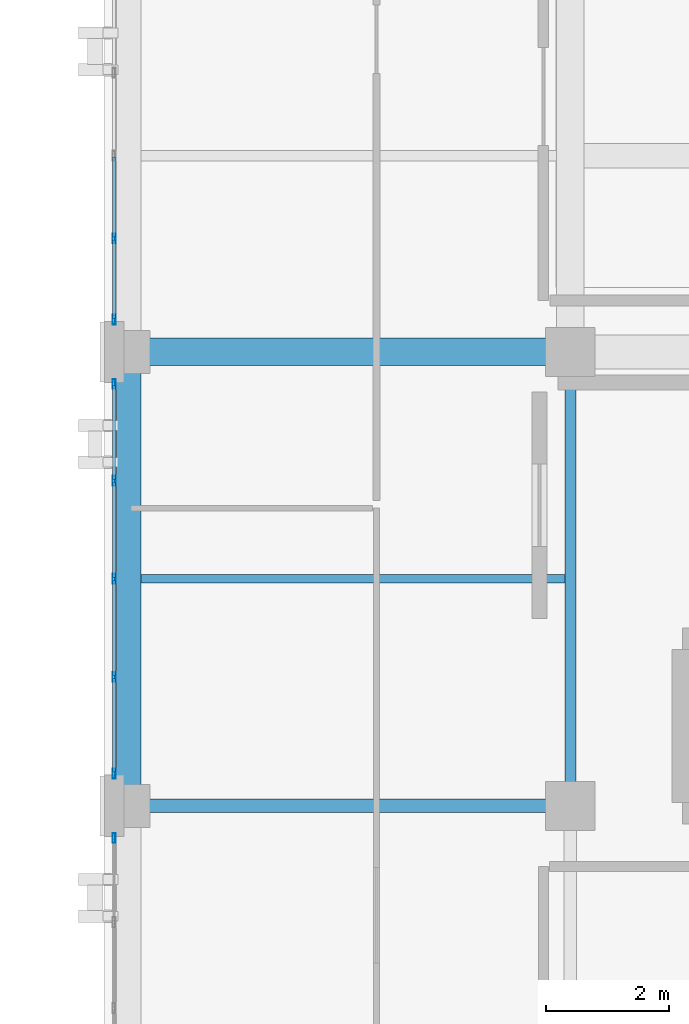
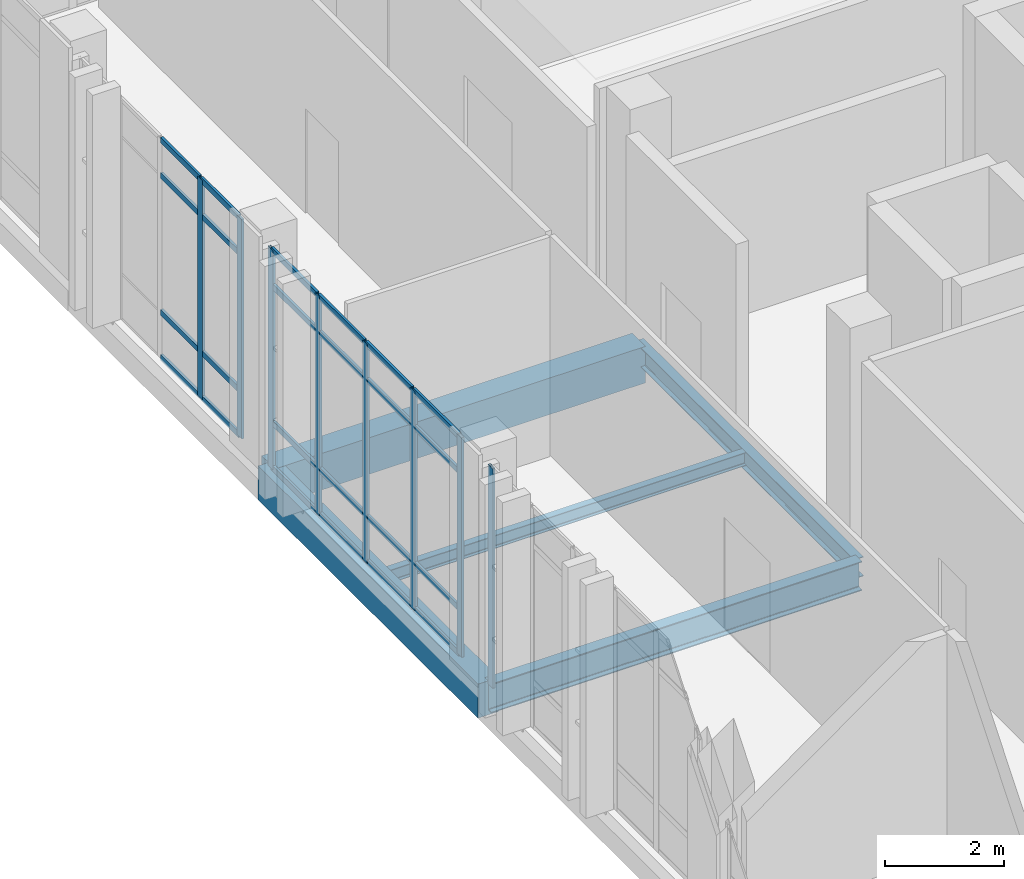
# One storey, part 99 of 189: 32 members, 5 beams, 3 elements without a shape of their own.
"""IFC4 building model written with IfcOpenShell, lengths in metres."""

from ifc_helpers import new_model, si_unit, direction, frame, origin, origin_2d, place, context, subcontext, project, spatial, rectangle, hollow_rectangle, i_section, extrude, material, layer, layer_set, material_profile, profile_set, type_object, element, aggregate, save


model = new_model("IFC4")

# Units and contexts
model_context = context("Model", 3, precision=1e-05, world=origin(), true_north=direction((0.0, 1.0)))
body_context = subcontext(model_context, "Body", "Model", "MODEL_VIEW")
ifc_project = project(units=[si_unit("LENGTHUNIT", "METRE"), si_unit("AREAUNIT", "SQUARE_METRE"), si_unit("VOLUMEUNIT", "CUBIC_METRE"), si_unit("PLANEANGLEUNIT", "RADIAN"), si_unit("MASSUNIT", "GRAM", prefix="KILO")], contexts=[model_context])

# Site, building, storey
site_placement = place(None, origin())
site = spatial("IfcSite", under=ifc_project, at=site_placement, CompositionType="ELEMENT")
building_placement = place(site_placement, origin())
building = spatial("IfcBuilding", under=site, at=building_placement, Name="Qalavern Law Courts", CompositionType="ELEMENT")
storey_placement = place(building_placement, frame((0.0, 0.0, 5.39990234375)))
storey = spatial("IfcBuildingStorey", under=building, at=storey_placement, Name="L01", CompositionType="ELEMENT", Elevation=5.39990234375)

# Curtain wall, members
ifc_material_1 = material(Name="Anodised aluminium and insulated glazing", Category="aluminium")
ifc_layer = layer(ifc_material_1, 0.172119140625)
ifc_layer_set = layer_set([ifc_layer], Name="Anodised aluminium and insulated glazing")
curtain_wall_type = type_object("IfcCurtainWallType", Name="ENV-CW-COURT", PredefinedType="USERDEFINED", material=ifc_layer_set)
curtain_wall_1_placement = place(storey_placement, origin())
curtain_wall_1 = element("IfcCurtainWall", 1, at=curtain_wall_1_placement, inside=storey, type_object=curtain_wall_type, Name="V4 unitised curtain wall L01 west 2", ObjectType="UNITISED CURTAIN WALL", PredefinedType="USERDEFINED")
ifc_material_2 = material(Name="Anodised aluminium", Category="aluminium")
ifc_material_profile_1 = material_profile(ifc_material_2, hollow_rectangle(XDim=0.048095703125, YDim=0.159912109375, WallThickness=0.00390625, at=origin_2d()), Name="ALU MULLION 48x160")
ifc_profile_set_1 = profile_set([ifc_material_profile_1], Name="Anodised aluminium")
member_type_1 = type_object("IfcMemberType", Name="ENV-CWM-48x160", PredefinedType="MULLION", material=ifc_profile_set_1)
member_1_placement = place(storey_placement, frame((84.362548828125, 74.64990234375, 0.0), z_axis=(0.0, 0.0, 1.0), x_axis=(1.0, 0.0, 0.0)))
member_1 = element("IfcMember", 2, at=member_1_placement, type_object=member_type_1, Name="CW-03 mullion 4", PredefinedType="MULLION", context=body_context, shape_type="SweptSolid", body=[
    extrude(hollow_rectangle(XDim=0.048095703125, YDim=0.159912109375, WallThickness=0.00390625, at=origin_2d()), origin(), (0.0, 0.0, 1.0), 4.510009765625),
])
member_2_placement = place(storey_placement, frame((84.362548828125, 73.323974609375, 0.0), z_axis=(0.0, 0.0, 1.0), x_axis=(1.0, 0.0, 0.0)))
member_2 = element("IfcMember", 3, at=member_2_placement, type_object=member_type_1, Name="CW-03 mullion 5", PredefinedType="MULLION", context=body_context, shape_type="SweptSolid", body=[
    extrude(hollow_rectangle(XDim=0.048095703125, YDim=0.159912109375, WallThickness=0.00390625, at=origin_2d()), origin(), (0.0, 0.0, 1.0), 4.510009765625),
])

curtain_wall_2_placement = place(storey_placement, origin())
curtain_wall_2 = element("IfcCurtainWall", 4, at=curtain_wall_2_placement, inside=storey, type_object=curtain_wall_type, Name="V4 unitised curtain wall L01 west 3", ObjectType="UNITISED CURTAIN WALL", PredefinedType="USERDEFINED")
member_3_placement = place(storey_placement, frame((84.362548828125, 72.27587890625, 0.0), z_axis=(0.0, 0.0, 1.0), x_axis=(1.0, 0.0, 0.0)))
member_3 = element("IfcMember", 5, at=member_3_placement, type_object=member_type_1, Name="CW-03 mullion 1", PredefinedType="MULLION", context=body_context, shape_type="SweptSolid", body=[
    extrude(hollow_rectangle(XDim=0.048095703125, YDim=0.159912109375, WallThickness=0.00390625, at=origin_2d()), origin(), (0.0, 0.0, 1.0), 4.510009765625),
])
member_4_placement = place(storey_placement, frame((84.362548828125, 70.699951171875, 0.0), z_axis=(0.0, 0.0, 1.0), x_axis=(1.0, 0.0, 0.0)))
member_4 = element("IfcMember", 6, at=member_4_placement, type_object=member_type_1, Name="CW-03 mullion 2", PredefinedType="MULLION", context=body_context, shape_type="SweptSolid", body=[
    extrude(hollow_rectangle(XDim=0.048095703125, YDim=0.159912109375, WallThickness=0.00390625, at=origin_2d()), origin(), (0.0, 0.0, 1.0), 4.510009765625),
])
member_5_placement = place(storey_placement, frame((84.362548828125, 69.10009765625, 0.0), z_axis=(0.0, 0.0, 1.0), x_axis=(1.0, 0.0, 0.0)))
member_5 = element("IfcMember", 7, at=member_5_placement, type_object=member_type_1, Name="CW-03 mullion 3", PredefinedType="MULLION", context=body_context, shape_type="SweptSolid", body=[
    extrude(hollow_rectangle(XDim=0.048095703125, YDim=0.159912109375, WallThickness=0.00390625, at=origin_2d()), origin(), (0.0, 0.0, 1.0), 4.510009765625),
])
member_6_placement = place(storey_placement, frame((84.362548828125, 67.5, 0.0), z_axis=(0.0, 0.0, 1.0), x_axis=(1.0, 0.0, 0.0)))
member_6 = element("IfcMember", 8, at=member_6_placement, type_object=member_type_1, Name="CW-03 mullion 4", PredefinedType="MULLION", context=body_context, shape_type="SweptSolid", body=[
    extrude(hollow_rectangle(XDim=0.048095703125, YDim=0.159912109375, WallThickness=0.00390625, at=origin_2d()), origin(), (0.0, 0.0, 1.0), 4.510009765625),
])
member_7_placement = place(storey_placement, frame((84.362548828125, 65.924072265625, 0.0), z_axis=(0.0, 0.0, 1.0), x_axis=(1.0, 0.0, 0.0)))
member_7 = element("IfcMember", 9, at=member_7_placement, type_object=member_type_1, Name="CW-03 mullion 5", PredefinedType="MULLION", context=body_context, shape_type="SweptSolid", body=[
    extrude(hollow_rectangle(XDim=0.048095703125, YDim=0.159912109375, WallThickness=0.00390625, at=origin_2d()), origin(), (0.0, 0.0, 1.0), 4.510009765625),
])

# Curtain wall, member
curtain_wall_3_placement = place(storey_placement, origin())
curtain_wall_3 = element("IfcCurtainWall", 10, at=curtain_wall_3_placement, inside=storey, type_object=curtain_wall_type, Name="V4 unitised curtain wall L01 west 4", ObjectType="UNITISED CURTAIN WALL", PredefinedType="USERDEFINED")
member_8_placement = place(storey_placement, frame((84.362548828125, 64.8759765625, 0.0), z_axis=(0.0, 0.0, 1.0), x_axis=(1.0, 0.0, 0.0)))
member_8 = element("IfcMember", 11, at=member_8_placement, type_object=member_type_1, Name="CW-03 mullion 1", PredefinedType="MULLION", context=body_context, shape_type="SweptSolid", body=[
    extrude(hollow_rectangle(XDim=0.048095703125, YDim=0.159912109375, WallThickness=0.00390625, at=origin_2d()), origin(), (0.0, 0.0, 1.0), 4.510009765625),
])
aggregate(curtain_wall_3, [member_8])

# Member
ifc_material_profile_2 = material_profile(ifc_material_2, hollow_rectangle(XDim=0.048095703125, YDim=0.1201171875, WallThickness=0.00390625, at=origin_2d()), Name="ALU TRANSOM 48x120")
ifc_profile_set_2 = profile_set([ifc_material_profile_2], Name="Anodised aluminium")
member_type_2 = type_object("IfcMemberType", Name="ENV-CWT-48x120", PredefinedType="USERDEFINED", material=ifc_profile_set_2)
member_9_placement = place(storey_placement, frame((84.362548828125, 75.97607421875, 0.024169921875), z_axis=(0.0, -1.0, 0.0), x_axis=(1.0, 0.0, 0.0)))
member_9 = element("IfcMember", 12, at=member_9_placement, type_object=member_type_2, Name="CW-03 transom 3.1", ObjectType="TRANSOM", PredefinedType="USERDEFINED", context=body_context, shape_type="SweptSolid", body=[
    extrude(hollow_rectangle(XDim=0.048095703125, YDim=0.1201171875, WallThickness=0.00390625, at=origin_2d()), origin(), (0.0, 0.0, 1.0), 1.302001953125),
])

member_10_placement = place(storey_placement, frame((84.362548828125, 75.97607421875, 0.9501953125), z_axis=(0.0, -1.0, 0.0), x_axis=(1.0, 0.0, 0.0)))
member_10 = element("IfcMember", 13, at=member_10_placement, type_object=member_type_2, Name="CW-03 transom 3.2", ObjectType="TRANSOM", PredefinedType="USERDEFINED", context=body_context, shape_type="SweptSolid", body=[
    extrude(hollow_rectangle(XDim=0.048095703125, YDim=0.1201171875, WallThickness=0.00390625, at=origin_2d()), origin(), (0.0, 0.0, 1.0), 1.302001953125),
])

member_11_placement = place(storey_placement, frame((84.362548828125, 75.97607421875, 3.760009765625), z_axis=(0.0, -1.0, 0.0), x_axis=(1.0, 0.0, 0.0)))
member_11 = element("IfcMember", 14, at=member_11_placement, type_object=member_type_2, Name="CW-03 transom 3.3", ObjectType="TRANSOM", PredefinedType="USERDEFINED", context=body_context, shape_type="SweptSolid", body=[
    extrude(hollow_rectangle(XDim=0.048095703125, YDim=0.1201171875, WallThickness=0.00390625, at=origin_2d()), origin(), (0.0, 0.0, 1.0), 1.302001953125),
])

member_12_placement = place(storey_placement, frame((84.362548828125, 75.97607421875, 4.486083984375), z_axis=(0.0, -1.0, 0.0), x_axis=(1.0, 0.0, 0.0)))
member_12 = element("IfcMember", 15, at=member_12_placement, type_object=member_type_2, Name="CW-03 transom 3.4", ObjectType="TRANSOM", PredefinedType="USERDEFINED", context=body_context, shape_type="SweptSolid", body=[
    extrude(hollow_rectangle(XDim=0.048095703125, YDim=0.1201171875, WallThickness=0.00390625, at=origin_2d()), origin(), (0.0, 0.0, 1.0), 1.302001953125),
])

member_13_placement = place(storey_placement, frame((84.362548828125, 74.6259765625, 0.024169921875), z_axis=(0.0, -1.0, 0.0), x_axis=(1.0, 0.0, 0.0)))
member_13 = element("IfcMember", 16, at=member_13_placement, type_object=member_type_2, Name="CW-03 transom 4.1", ObjectType="TRANSOM", PredefinedType="USERDEFINED", context=body_context, shape_type="SweptSolid", body=[
    extrude(hollow_rectangle(XDim=0.048095703125, YDim=0.1201171875, WallThickness=0.00390625, at=origin_2d()), origin(), (0.0, 0.0, 1.0), 1.278076171875),
])

member_14_placement = place(storey_placement, frame((84.362548828125, 74.6259765625, 0.9501953125), z_axis=(0.0, -1.0, 0.0), x_axis=(1.0, 0.0, 0.0)))
member_14 = element("IfcMember", 17, at=member_14_placement, type_object=member_type_2, Name="CW-03 transom 4.2", ObjectType="TRANSOM", PredefinedType="USERDEFINED", context=body_context, shape_type="SweptSolid", body=[
    extrude(hollow_rectangle(XDim=0.048095703125, YDim=0.1201171875, WallThickness=0.00390625, at=origin_2d()), origin(), (0.0, 0.0, 1.0), 1.278076171875),
])

member_15_placement = place(storey_placement, frame((84.362548828125, 74.6259765625, 3.760009765625), z_axis=(0.0, -1.0, 0.0), x_axis=(1.0, 0.0, 0.0)))
member_15 = element("IfcMember", 18, at=member_15_placement, type_object=member_type_2, Name="CW-03 transom 4.3", ObjectType="TRANSOM", PredefinedType="USERDEFINED", context=body_context, shape_type="SweptSolid", body=[
    extrude(hollow_rectangle(XDim=0.048095703125, YDim=0.1201171875, WallThickness=0.00390625, at=origin_2d()), origin(), (0.0, 0.0, 1.0), 1.278076171875),
])

member_16_placement = place(storey_placement, frame((84.362548828125, 74.6259765625, 4.486083984375), z_axis=(0.0, -1.0, 0.0), x_axis=(1.0, 0.0, 0.0)))
member_16 = element("IfcMember", 19, at=member_16_placement, type_object=member_type_2, Name="CW-03 transom 4.4", ObjectType="TRANSOM", PredefinedType="USERDEFINED", context=body_context, shape_type="SweptSolid", body=[
    extrude(hollow_rectangle(XDim=0.048095703125, YDim=0.1201171875, WallThickness=0.00390625, at=origin_2d()), origin(), (0.0, 0.0, 1.0), 1.278076171875),
])

aggregate(curtain_wall_1, [member_1, member_2, member_9, member_10, member_11, member_12, member_13, member_14, member_15, member_16])

member_17_placement = place(storey_placement, frame((84.362548828125, 72.251953125, 0.024169921875), z_axis=(0.0, -1.0, 0.0), x_axis=(1.0, 0.0, 0.0)))
member_17 = element("IfcMember", 20, at=member_17_placement, type_object=member_type_2, Name="CW-03 transom 1.1", ObjectType="TRANSOM", PredefinedType="USERDEFINED", context=body_context, shape_type="SweptSolid", body=[
    extrude(hollow_rectangle(XDim=0.048095703125, YDim=0.1201171875, WallThickness=0.00390625, at=origin_2d()), origin(), (0.0, 0.0, 1.0), 1.52783203125),
])

member_18_placement = place(storey_placement, frame((84.362548828125, 72.251953125, 0.9501953125), z_axis=(0.0, -1.0, 0.0), x_axis=(1.0, 0.0, 0.0)))
member_18 = element("IfcMember", 21, at=member_18_placement, type_object=member_type_2, Name="CW-03 transom 1.2", ObjectType="TRANSOM", PredefinedType="USERDEFINED", context=body_context, shape_type="SweptSolid", body=[
    extrude(hollow_rectangle(XDim=0.048095703125, YDim=0.1201171875, WallThickness=0.00390625, at=origin_2d()), origin(), (0.0, 0.0, 1.0), 1.52783203125),
])

member_19_placement = place(storey_placement, frame((84.362548828125, 72.251953125, 3.760009765625), z_axis=(0.0, -1.0, 0.0), x_axis=(1.0, 0.0, 0.0)))
member_19 = element("IfcMember", 22, at=member_19_placement, type_object=member_type_2, Name="CW-03 transom 1.3", ObjectType="TRANSOM", PredefinedType="USERDEFINED", context=body_context, shape_type="SweptSolid", body=[
    extrude(hollow_rectangle(XDim=0.048095703125, YDim=0.1201171875, WallThickness=0.00390625, at=origin_2d()), origin(), (0.0, 0.0, 1.0), 1.52783203125),
])

member_20_placement = place(storey_placement, frame((84.362548828125, 72.251953125, 4.486083984375), z_axis=(0.0, -1.0, 0.0), x_axis=(1.0, 0.0, 0.0)))
member_20 = element("IfcMember", 23, at=member_20_placement, type_object=member_type_2, Name="CW-03 transom 1.4", ObjectType="TRANSOM", PredefinedType="USERDEFINED", context=body_context, shape_type="SweptSolid", body=[
    extrude(hollow_rectangle(XDim=0.048095703125, YDim=0.1201171875, WallThickness=0.00390625, at=origin_2d()), origin(), (0.0, 0.0, 1.0), 1.52783203125),
])

member_21_placement = place(storey_placement, frame((84.362548828125, 70.676025390625, 0.024169921875), z_axis=(0.0, -1.0, 0.0), x_axis=(1.0, 0.0, 0.0)))
member_21 = element("IfcMember", 24, at=member_21_placement, type_object=member_type_2, Name="CW-03 transom 2.1", ObjectType="TRANSOM", PredefinedType="USERDEFINED", context=body_context, shape_type="SweptSolid", body=[
    extrude(hollow_rectangle(XDim=0.048095703125, YDim=0.1201171875, WallThickness=0.00390625, at=origin_2d()), origin(), (0.0, 0.0, 1.0), 1.552001953125),
])

member_22_placement = place(storey_placement, frame((84.362548828125, 70.676025390625, 0.9501953125), z_axis=(0.0, -1.0, 0.0), x_axis=(1.0, 0.0, 0.0)))
member_22 = element("IfcMember", 25, at=member_22_placement, type_object=member_type_2, Name="CW-03 transom 2.2", ObjectType="TRANSOM", PredefinedType="USERDEFINED", context=body_context, shape_type="SweptSolid", body=[
    extrude(hollow_rectangle(XDim=0.048095703125, YDim=0.1201171875, WallThickness=0.00390625, at=origin_2d()), origin(), (0.0, 0.0, 1.0), 1.552001953125),
])

member_23_placement = place(storey_placement, frame((84.362548828125, 70.676025390625, 3.760009765625), z_axis=(0.0, -1.0, 0.0), x_axis=(1.0, 0.0, 0.0)))
member_23 = element("IfcMember", 26, at=member_23_placement, type_object=member_type_2, Name="CW-03 transom 2.3", ObjectType="TRANSOM", PredefinedType="USERDEFINED", context=body_context, shape_type="SweptSolid", body=[
    extrude(hollow_rectangle(XDim=0.048095703125, YDim=0.1201171875, WallThickness=0.00390625, at=origin_2d()), origin(), (0.0, 0.0, 1.0), 1.552001953125),
])

member_24_placement = place(storey_placement, frame((84.362548828125, 70.676025390625, 4.486083984375), z_axis=(0.0, -1.0, 0.0), x_axis=(1.0, 0.0, 0.0)))
member_24 = element("IfcMember", 27, at=member_24_placement, type_object=member_type_2, Name="CW-03 transom 2.4", ObjectType="TRANSOM", PredefinedType="USERDEFINED", context=body_context, shape_type="SweptSolid", body=[
    extrude(hollow_rectangle(XDim=0.048095703125, YDim=0.1201171875, WallThickness=0.00390625, at=origin_2d()), origin(), (0.0, 0.0, 1.0), 1.552001953125),
])

member_25_placement = place(storey_placement, frame((84.362548828125, 69.075927734375, 0.024169921875), z_axis=(0.0, -1.0, 0.0), x_axis=(1.0, 0.0, 0.0)))
member_25 = element("IfcMember", 28, at=member_25_placement, type_object=member_type_2, Name="CW-03 transom 3.1", ObjectType="TRANSOM", PredefinedType="USERDEFINED", context=body_context, shape_type="SweptSolid", body=[
    extrude(hollow_rectangle(XDim=0.048095703125, YDim=0.1201171875, WallThickness=0.00390625, at=origin_2d()), origin(), (0.0, 0.0, 1.0), 1.552001953125),
])

member_26_placement = place(storey_placement, frame((84.362548828125, 69.075927734375, 0.9501953125), z_axis=(0.0, -1.0, 0.0), x_axis=(1.0, 0.0, 0.0)))
member_26 = element("IfcMember", 29, at=member_26_placement, type_object=member_type_2, Name="CW-03 transom 3.2", ObjectType="TRANSOM", PredefinedType="USERDEFINED", context=body_context, shape_type="SweptSolid", body=[
    extrude(hollow_rectangle(XDim=0.048095703125, YDim=0.1201171875, WallThickness=0.00390625, at=origin_2d()), origin(), (0.0, 0.0, 1.0), 1.552001953125),
])

member_27_placement = place(storey_placement, frame((84.362548828125, 69.075927734375, 3.760009765625), z_axis=(0.0, -1.0, 0.0), x_axis=(1.0, 0.0, 0.0)))
member_27 = element("IfcMember", 30, at=member_27_placement, type_object=member_type_2, Name="CW-03 transom 3.3", ObjectType="TRANSOM", PredefinedType="USERDEFINED", context=body_context, shape_type="SweptSolid", body=[
    extrude(hollow_rectangle(XDim=0.048095703125, YDim=0.1201171875, WallThickness=0.00390625, at=origin_2d()), origin(), (0.0, 0.0, 1.0), 1.552001953125),
])

member_28_placement = place(storey_placement, frame((84.362548828125, 69.075927734375, 4.486083984375), z_axis=(0.0, -1.0, 0.0), x_axis=(1.0, 0.0, 0.0)))
member_28 = element("IfcMember", 31, at=member_28_placement, type_object=member_type_2, Name="CW-03 transom 3.4", ObjectType="TRANSOM", PredefinedType="USERDEFINED", context=body_context, shape_type="SweptSolid", body=[
    extrude(hollow_rectangle(XDim=0.048095703125, YDim=0.1201171875, WallThickness=0.00390625, at=origin_2d()), origin(), (0.0, 0.0, 1.0), 1.552001953125),
])

member_29_placement = place(storey_placement, frame((84.362548828125, 67.47607421875, 0.024169921875), z_axis=(0.0, -1.0, 0.0), x_axis=(1.0, 0.0, 0.0)))
member_29 = element("IfcMember", 32, at=member_29_placement, type_object=member_type_2, Name="CW-03 transom 4.1", ObjectType="TRANSOM", PredefinedType="USERDEFINED", context=body_context, shape_type="SweptSolid", body=[
    extrude(hollow_rectangle(XDim=0.048095703125, YDim=0.1201171875, WallThickness=0.00390625, at=origin_2d()), origin(), (0.0, 0.0, 1.0), 1.528076171875),
])

member_30_placement = place(storey_placement, frame((84.362548828125, 67.47607421875, 0.9501953125), z_axis=(0.0, -1.0, 0.0), x_axis=(1.0, 0.0, 0.0)))
member_30 = element("IfcMember", 33, at=member_30_placement, type_object=member_type_2, Name="CW-03 transom 4.2", ObjectType="TRANSOM", PredefinedType="USERDEFINED", context=body_context, shape_type="SweptSolid", body=[
    extrude(hollow_rectangle(XDim=0.048095703125, YDim=0.1201171875, WallThickness=0.00390625, at=origin_2d()), origin(), (0.0, 0.0, 1.0), 1.528076171875),
])

member_31_placement = place(storey_placement, frame((84.362548828125, 67.47607421875, 3.760009765625), z_axis=(0.0, -1.0, 0.0), x_axis=(1.0, 0.0, 0.0)))
member_31 = element("IfcMember", 34, at=member_31_placement, type_object=member_type_2, Name="CW-03 transom 4.3", ObjectType="TRANSOM", PredefinedType="USERDEFINED", context=body_context, shape_type="SweptSolid", body=[
    extrude(hollow_rectangle(XDim=0.048095703125, YDim=0.1201171875, WallThickness=0.00390625, at=origin_2d()), origin(), (0.0, 0.0, 1.0), 1.528076171875),
])

member_32_placement = place(storey_placement, frame((84.362548828125, 67.47607421875, 4.486083984375), z_axis=(0.0, -1.0, 0.0), x_axis=(1.0, 0.0, 0.0)))
member_32 = element("IfcMember", 35, at=member_32_placement, type_object=member_type_2, Name="CW-03 transom 4.4", ObjectType="TRANSOM", PredefinedType="USERDEFINED", context=body_context, shape_type="SweptSolid", body=[
    extrude(hollow_rectangle(XDim=0.048095703125, YDim=0.1201171875, WallThickness=0.00390625, at=origin_2d()), origin(), (0.0, 0.0, 1.0), 1.528076171875),
])

aggregate(curtain_wall_2, [member_3, member_4, member_5, member_6, member_7, member_17, member_18, member_19, member_20, member_21, member_22, member_23, member_24, member_25, member_26, member_27, member_28, member_29, member_30, member_31, member_32])

# Beams
ifc_material_3 = material(Name="Steel S355", Category="steel")
ifc_material_profile_3 = material_profile(ifc_material_3, i_section(OverallWidth=0.179931640625, OverallDepth=0.39990234375, WebThickness=0.008544921875, FlangeThickness=0.013427734375, FilletRadius=0.02099609375, at=origin_2d()), Name="IPE 400")
ifc_profile_set_3 = profile_set([ifc_material_profile_3], Name="Steel S355")
beam_type_1 = type_object("IfcBeamType", Name="STR-BM-IPE400", PredefinedType="BEAM", material=ifc_profile_set_3)
beam_1_placement = place(storey_placement, frame((91.800048828125, 65.39990234375, -0.5), z_axis=(0.0, 1.0, 0.0), x_axis=(-1.0, 0.0, 0.0)))
element("IfcBeam", 36, at=beam_1_placement, inside=storey, type_object=beam_type_1, Name="V4 Y-beam 2-3 L01", PredefinedType="BEAM", context=body_context, shape_type="SweptSolid", body=[
    extrude(i_section(OverallWidth=0.179931640625, OverallDepth=0.39990234375, WebThickness=0.008544921875, FlangeThickness=0.013427734375, FilletRadius=0.02099609375, at=origin_2d()), origin(), (0.0, 0.0, 1.0), 7.400146484375),
])
ifc_material_profile_4 = material_profile(ifc_material_3, i_section(OverallWidth=0.219970703125, OverallDepth=0.60009765625, WebThickness=0.011962890625, FlangeThickness=0.01904296875, FilletRadius=0.02392578125, at=origin_2d()), Name="IPE 600")
ifc_profile_set_4 = profile_set([ifc_material_profile_4], Name="Steel S355")
beam_type_2 = type_object("IfcBeamType", Name="STR-BM-IPE600", PredefinedType="BEAM", material=ifc_profile_set_4)
beam_2_placement = place(storey_placement, frame((84.60009765625, 65.39990234375, -0.599853515625), z_axis=(1.0, 0.0, 0.0), x_axis=(0.0, 1.0, 0.0)))
element("IfcBeam", 37, at=beam_2_placement, inside=storey, type_object=beam_type_2, Name="V4 X-beam 4-1 L01", PredefinedType="BEAM", context=body_context, shape_type="SweptSolid", body=[
    extrude(i_section(OverallWidth=0.219970703125, OverallDepth=0.60009765625, WebThickness=0.011962890625, FlangeThickness=0.01904296875, FilletRadius=0.02392578125, at=origin_2d()), origin(), (0.0, 0.0, 1.0), 7.199951171875),
])
ifc_material_4 = material(Name="Concrete C40/50", Category="concrete")
ifc_material_profile_5 = material_profile(ifc_material_4, rectangle(XDim=0.449951171875, YDim=0.75, at=origin_2d()), Name="RC 450x750")
ifc_profile_set_5 = profile_set([ifc_material_profile_5], Name="Concrete C40/50")
beam_type_3 = type_object("IfcBeamType", Name="STR-BM-RC450x750", PredefinedType="BEAM", material=ifc_profile_set_5)
beam_3_placement = place(storey_placement, frame((84.60009765625, 72.800048828125, -0.6748046875), z_axis=(1.0, 0.0, 0.0), x_axis=(0.0, 1.0, 0.0)))
element("IfcBeam", 38, at=beam_3_placement, inside=storey, type_object=beam_type_3, Name="V4 X-beam 5-1 L01", PredefinedType="BEAM", context=body_context, shape_type="SweptSolid", body=[
    extrude(rectangle(XDim=0.449951171875, YDim=0.75, at=origin_2d()), origin(), (0.0, 0.0, 1.0), 7.199951171875),
])
ifc_material_profile_6 = material_profile(ifc_material_3, i_section(OverallWidth=0.135009765625, OverallDepth=0.27001953125, WebThickness=0.006591796875, FlangeThickness=0.01025390625, FilletRadius=0.014892578125, at=origin_2d()), Name="IPE 270")
ifc_profile_set_6 = profile_set([ifc_material_profile_6], Name="Steel S355")
beam_type_4 = type_object("IfcBeamType", Name="STR-JST-IPE270", PredefinedType="JOIST", material=ifc_profile_set_6)
beam_4_placement = place(storey_placement, frame((84.798095703125, 69.10009765625, -0.434814453125), z_axis=(1.0, 0.0, 0.0), x_axis=(0.0, 1.0, 0.0)))
element("IfcBeam", 39, at=beam_4_placement, inside=storey, type_object=beam_type_4, Name="V4 secondary joist 1.4.1 L01", PredefinedType="JOIST", context=body_context, shape_type="SweptSolid", body=[
    extrude(i_section(OverallWidth=0.135009765625, OverallDepth=0.27001953125, WebThickness=0.006591796875, FlangeThickness=0.01025390625, FilletRadius=0.014892578125, at=origin_2d()), origin(), (0.0, 0.0, 1.0), 6.913818359375),
])
ifc_material_profile_7 = material_profile(ifc_material_4, rectangle(XDim=0.39990234375, YDim=0.699951171875, at=origin_2d()), Name="RC 400x700")
ifc_profile_set_7 = profile_set([ifc_material_profile_7], Name="Concrete C40/50")
beam_type_5 = type_object("IfcBeamType", Name="STR-SP-RC400x700", PredefinedType="SPANDREL", material=ifc_profile_set_7)
beam_5_placement = place(storey_placement, frame((84.60009765625, 65.39990234375, -0.64990234375), z_axis=(0.0, 1.0, 0.0), x_axis=(-1.0, 0.0, 0.0)))
element("IfcBeam", 40, at=beam_5_placement, inside=storey, type_object=beam_type_5, Name="V4 Y-beam 1-4 L01", PredefinedType="SPANDREL", context=body_context, shape_type="SweptSolid", body=[
    extrude(rectangle(XDim=0.39990234375, YDim=0.699951171875, at=origin_2d()), origin(), (0.0, 0.0, 1.0), 7.400146484375),
])

save(model, "model.ifc")
